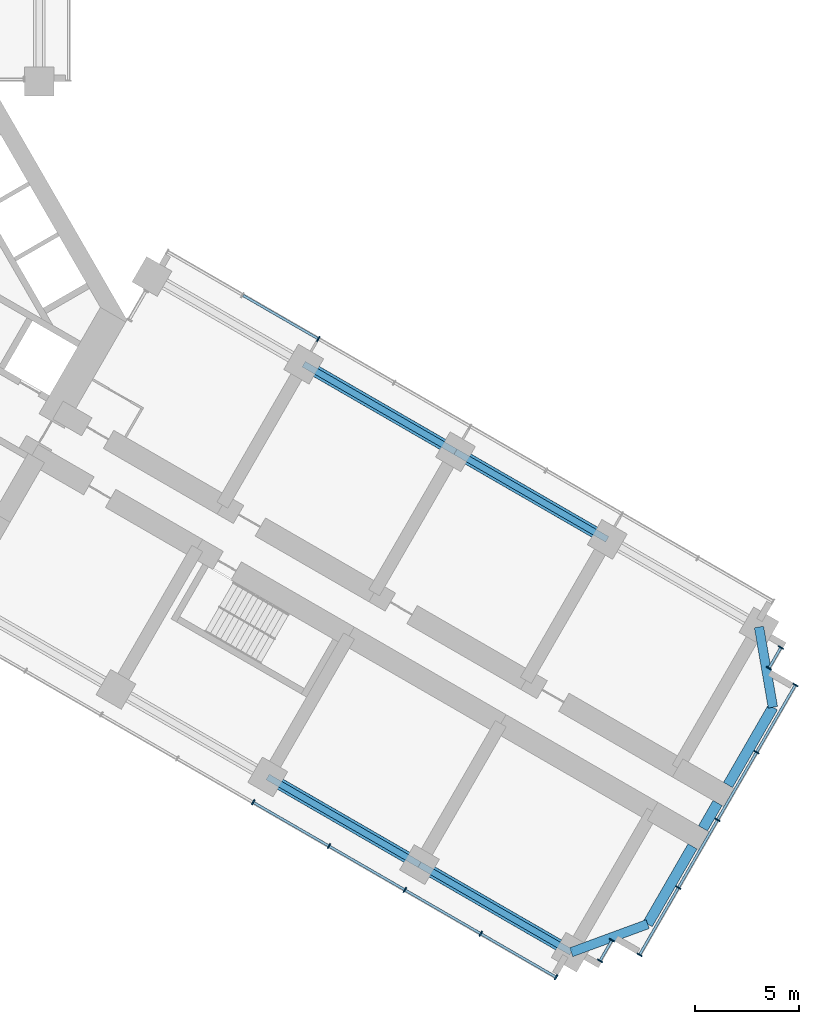
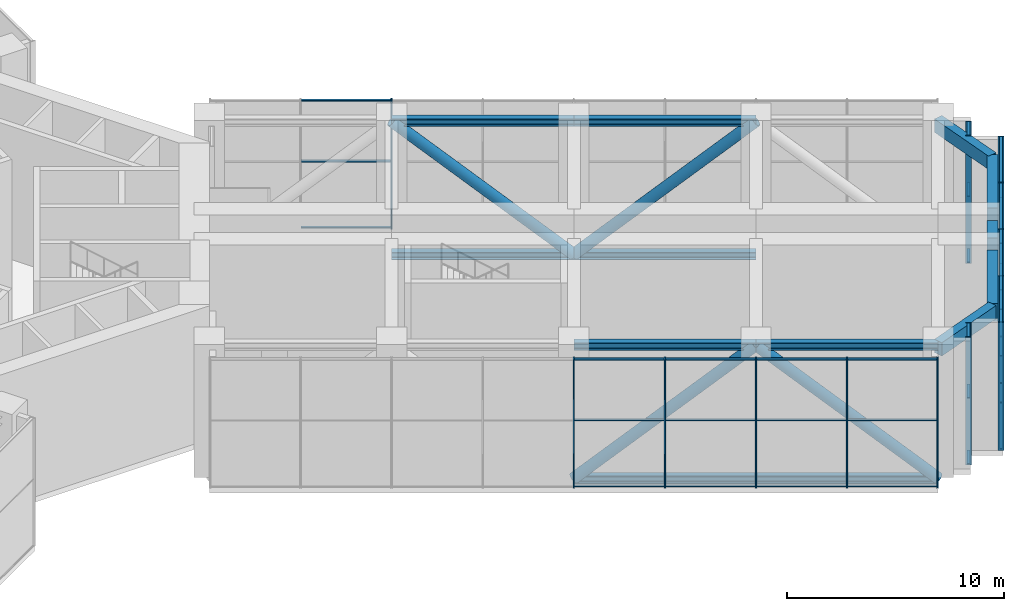
# One storey, part 7 of 19: 60 members, 5 beams, 5 elements without a shape of their own.
"""IFC4 building model written with IfcOpenShell, lengths in metres."""

import ifcopenshell
import ifcopenshell.guid

model = None  # the IFC model being written
_history = None  # IfcOwnerHistory: only IFC2X3 demands one
_inside = {}  # id of a spatial element -> (the spatial element, [elements in it])
_under = {}  # id of a project, library or spatial element -> (it, [spatial elements below it])
_declared = {}  # id of a project -> (the project, [libraries it declares])
_typed = {}  # id of a type object -> (the type object, [elements of that type])
_made_of = {}  # id of a material, layer set ... -> (it, [elements and type objects made of it])


def new_model(schema):
    """Start an empty IFC model of exactly this schema.

    Asked for "IFC4X3", IfcOpenShell would pick the latest addendum, in which some entities
    have other attributes; the version numbers below select the first issue.
    IFC2X3 requires an IfcOwnerHistory on every rooted entity: one is made here for all.
    """
    global model, _history
    if schema == "IFC4X3":
        model = ifcopenshell.file(schema_version=(4, 3, 0, 0))
    else:
        model = ifcopenshell.file(schema=schema)
    _inside.clear()
    _under.clear()
    _declared.clear()
    _typed.clear()
    _made_of.clear()
    _history = None
    if model.schema == "IFC2X3":
        org = make("IfcOrganization", Name="unknown")
        user = make(
            "IfcPersonAndOrganization",
            ThePerson=make("IfcPerson", FamilyName="unknown"),
            TheOrganization=org,
        )
        app = make(
            "IfcApplication",
            ApplicationDeveloper=org,
            Version="unknown",
            ApplicationFullName="unknown",
            ApplicationIdentifier="unknown",
        )
        _history = make(
            "IfcOwnerHistory",
            OwningUser=user,
            OwningApplication=app,
            ChangeAction="ADDED",
            CreationDate=0,
        )
    return model


def make(cls, **values):
    """One entity of the class cls with the attributes given. An attribute that is None is left unset."""
    return model.create_entity(
        cls, **{name: value for name, value in values.items() if value is not None}
    )


def rooted(cls, **values):
    """An entity with a GlobalId (a new one), such as an element, a storey or a relation."""
    return make(cls, GlobalId=ifcopenshell.guid.new(), OwnerHistory=_history, **values)


def si_unit(unit_type, name, prefix=None):
    """IfcSIUnit, for example si_unit("LENGTHUNIT", "METRE", prefix="MILLI")."""
    return make("IfcSIUnit", UnitType=unit_type, Prefix=prefix, Name=name)


def assignment(units):
    """IfcUnitAssignment: the units of a project."""
    return None if units is None else make("IfcUnitAssignment", Units=units)


def point(xyz):
    """IfcCartesianPoint."""
    return None if xyz is None else make("IfcCartesianPoint", Coordinates=xyz)


def direction(xyz):
    """IfcDirection."""
    return None if xyz is None else make("IfcDirection", DirectionRatios=xyz)


def frame(location, z_axis=None, x_axis=None):
    """IfcAxis2Placement3D, a coordinate frame: its origin and axes. An axis left out is left unset."""
    return make(
        "IfcAxis2Placement3D",
        Location=point(location),
        Axis=direction(z_axis),
        RefDirection=direction(x_axis),
    )


def frame_2d(location, x_axis=None):
    """IfcAxis2Placement2D, a coordinate frame in the plane: its origin and x axis."""
    return make(
        "IfcAxis2Placement2D", Location=point(location), RefDirection=direction(x_axis)
    )


def origin():
    """The frame at (0, 0, 0) with its axes left unset."""
    return frame((0.0, 0.0, 0.0))


def origin_2d():
    """The frame at (0, 0) in the plane with its x axis left unset."""
    return frame_2d((0.0, 0.0))


def place(relative_to, where):
    """IfcLocalPlacement: puts the frame where relative to a parent placement (None: the world)."""
    return make(
        "IfcLocalPlacement", PlacementRelTo=relative_to, RelativePlacement=where
    )


def context(
    kind, dimensions, precision=None, world=None, true_north=None, identifier=None
):
    """IfcGeometricRepresentationContext, for example the 3D "Model" context."""
    return make(
        "IfcGeometricRepresentationContext",
        ContextIdentifier=identifier,
        ContextType=kind,
        CoordinateSpaceDimension=dimensions,
        Precision=precision,
        WorldCoordinateSystem=world,
        TrueNorth=true_north,
    )


def subcontext(parent, identifier, kind, view, scale=None):
    """IfcGeometricRepresentationSubContext, for example "Body" below "Model"."""
    return make(
        "IfcGeometricRepresentationSubContext",
        ContextIdentifier=identifier,
        ContextType=kind,
        ParentContext=parent,
        TargetScale=scale,
        TargetView=view,
    )


def project(units=None, contexts=None):
    """IfcProject with its units and contexts."""
    return rooted(
        "IfcProject",
        Name="project",
        RepresentationContexts=contexts,
        UnitsInContext=assignment(units),
    )


def spatial(cls, under=None, at=None, **own):
    """A site, building, storey or space (cls), placed at a placement, below another one or the project."""
    s = rooted(cls, ObjectPlacement=at, **own)
    if under is not None:
        _under.setdefault(under.id(), (under, []))[1].append(s)
    return s


def profile(cls, at=None, kind="AREA", **sizes):
    """A parametric profile (cls). Its sizes go by their IFC names, for example OverallWidth=200.0."""
    return make(cls, ProfileType=kind, Position=at, **sizes)


def rectangle(**sizes):
    """IfcRectangleProfileDef."""
    return profile("IfcRectangleProfileDef", **sizes)


def hollow_circle(**sizes):
    """IfcCircleHollowProfileDef."""
    return profile("IfcCircleHollowProfileDef", **sizes)


def i_section(**sizes):
    """IfcIShapeProfileDef."""
    return profile("IfcIShapeProfileDef", **sizes)


def extrude(swept, where, along, depth):
    """IfcExtrudedAreaSolid: the profile swept, set in the frame where, extruded along a direction by depth."""
    return make(
        "IfcExtrudedAreaSolid",
        SweptArea=swept,
        Position=where,
        ExtrudedDirection=direction(along),
        Depth=depth,
    )


def shape(context_of_items, identifier, shape_type, items):
    """IfcShapeRepresentation: the items that make up one representation, for example the "Body"."""
    return make(
        "IfcShapeRepresentation",
        ContextOfItems=context_of_items,
        RepresentationIdentifier=identifier,
        RepresentationType=shape_type,
        Items=items,
    )


def material(Name=None, Category=None):
    """IfcMaterial."""
    return make("IfcMaterial", Name=Name, Category=Category)


def material_profile(
    of_material, cross_section, Name=None, Category=None, Priority=None
):
    """IfcMaterialProfile: a cross section and its material."""
    return make(
        "IfcMaterialProfile",
        Name=Name,
        Material=of_material,
        Profile=cross_section,
        Priority=Priority,
        Category=Category,
    )


def profile_set(profiles, Name=None, composite=None):
    """IfcMaterialProfileSet."""
    return make(
        "IfcMaterialProfileSet",
        Name=Name,
        MaterialProfiles=profiles,
        CompositeProfile=composite,
    )


def made_of(thing, what):
    """Note that an element or type object is made of a material, layer set ...; save() writes the relation."""
    if what is not None:
        _made_of.setdefault(what.id(), (what, []))[1].append(thing)
    return thing


def type_object(cls, material=None, **own):
    """A type object (cls), such as IfcWallType, which elements share."""
    return made_of(rooted(cls, **own), material)


def element(
    cls,
    number,
    at=None,
    inside=None,
    cuts=None,
    type_object=None,
    material=None,
    context=None,
    identifier="Body",
    shape_type=None,
    held_by="IfcProductDefinitionShape",
    body=None,
    shapes=None,
    **own,
):
    """One element of the class cls, such as IfcWall. Its Tag is "e" and its number.

    at: its placement. inside: the storey or other place that contains it. cuts: it is an
    opening in that element (IfcRelVoidsElement). A single representation is given by context,
    identifier, shape_type and body (its items); several are given by shapes. held_by: the class
    of the entity that holds the representations. save() writes the other relations.
    """
    e = rooted(cls, Tag="e%d" % number, ObjectPlacement=at, **own)
    if body is not None:
        shapes = [shape(context, identifier, shape_type, body)]
    if shapes is not None:
        e.Representation = make(held_by, Representations=shapes)
    if inside is not None:
        _inside.setdefault(inside.id(), (inside, []))[1].append(e)
    if cuts is not None:
        rooted(
            "IfcRelVoidsElement", RelatingBuildingElement=cuts, RelatedOpeningElement=e
        )
    if type_object is not None:
        _typed.setdefault(type_object.id(), (type_object, []))[1].append(e)
    return made_of(e, material)


def aggregate(whole, parts):
    """IfcRelAggregates: a whole, such as a stair, and the parts it consists of."""
    return rooted("IfcRelAggregates", RelatingObject=whole, RelatedObjects=parts)


def save(model, path):
    """Write the relations noted so far, then the file.

    IfcRelAggregates (storeys below a building ...), IfcRelContainedInSpatialStructure (elements
    in a storey), IfcRelDefinesByType, IfcRelAssociatesMaterial and IfcRelDeclares: one each for
    every whole, place, type object, material and project.
    """
    for whole, parts in _under.values():
        aggregate(whole, parts)
    for where, things in _inside.values():
        rooted(
            "IfcRelContainedInSpatialStructure",
            RelatedElements=things,
            RelatingStructure=where,
        )
    for kind, things in _typed.values():
        rooted("IfcRelDefinesByType", RelatedObjects=things, RelatingType=kind)
    for what, things in _made_of.values():
        rooted("IfcRelAssociatesMaterial", RelatedObjects=things, RelatingMaterial=what)
    for by, libraries in _declared.values():
        rooted("IfcRelDeclares", RelatingContext=by, RelatedDefinitions=libraries)
    model.write(path)


model = new_model("IFC4")

# Units and contexts
model_context = context("Model", 3, precision=1e-05, world=origin(), true_north=direction((0.0, 1.0)))
body_context = subcontext(model_context, "Body", "Model", "MODEL_VIEW")
ifc_project = project(units=[si_unit("LENGTHUNIT", "METRE"), si_unit("AREAUNIT", "SQUARE_METRE"), si_unit("VOLUMEUNIT", "CUBIC_METRE"), si_unit("PLANEANGLEUNIT", "RADIAN"), si_unit("MASSUNIT", "GRAM", prefix="KILO")], contexts=[model_context])

# Site, building, storey
site_placement = place(None, origin())
site = spatial("IfcSite", under=ifc_project, at=site_placement, CompositionType="ELEMENT")
building_placement = place(site_placement, origin())
building = spatial("IfcBuilding", under=site, at=building_placement, Name="Impinga Residences", CompositionType="ELEMENT")
storey_placement = place(building_placement, frame((0.0, 0.0, 93.5)))
storey = spatial("IfcBuildingStorey", under=building, at=storey_placement, Name="L23", CompositionType="ELEMENT", Elevation=93.5)

# Members
ifc_material_1 = material(Name="Steel S355", Category="steel")
ifc_material_profile_1 = material_profile(ifc_material_1, i_section(OverallWidth=0.306884765625, OverallDepth=0.431884765625, WebThickness=0.02099609375, FlangeThickness=0.0400390625, FilletRadius=0.027099609375, at=origin_2d()), Name="HE 400 M")
ifc_profile_set_1 = profile_set([ifc_material_profile_1], Name="Steel S355")
member_type_1 = type_object("IfcMemberType", Name="BT1 HE 400 M belt truss chord", PredefinedType="CHORD", material=ifc_profile_set_1)
for number, where, z_axis, x_axis, name in (
    (1, (21.674560546875, -2.12158203125, -0.51611328125), (0.86602925447, -0.499993330357, 0.0), (0.499993330357, 0.86602925447, 0.0), "Belt truss chord BT1 EA E2-E3 L23"),
    (2, (21.674560546875, -2.12158203125, 6.98388671875), (0.86602925447, -0.499993330357, 0.0), (0.499993330357, 0.86602925447, 0.0), "Belt truss chord BT1 EA E2-E3 L23"),
    (3, (28.94921875, -6.321533203125, -0.51611328125), (0.86602925447, -0.499993330357, 0.0), (0.499993330357, 0.86602925447, 0.0), "Belt truss chord BT1 EA E3-E4 L23"),
    (4, (28.94921875, -6.321533203125, 6.98388671875), (0.86602925447, -0.499993330357, 0.0), (0.499993330357, 0.86602925447, 0.0), "Belt truss chord BT1 EA E3-E4 L23"),
):
    element("IfcMember", number, at=place(storey_placement, frame(where, z_axis=z_axis, x_axis=x_axis)), inside=storey, type_object=member_type_1, Name=name, PredefinedType="CHORD", context=body_context, shape_type="SweptSolid", body=[
        extrude(i_section(OverallWidth=0.306884765625, OverallDepth=0.431884765625, WebThickness=0.02099609375, FlangeThickness=0.0400390625, FilletRadius=0.027099609375, at=origin_2d()), origin(), (0.0, 0.0, 1.0), 8.39990234375),
    ])
for number, where, z_axis, x_axis, name in (
    (5, (19.94921875, -21.909912109375, -0.51611328125), (0.866016669275, -0.500015128309, 0.0), (0.500015128309, 0.866016669275, 0.0), "Belt truss chord BT1 EF E3-E4 L23"),
    (6, (19.94921875, -21.909912109375, 6.98388671875), (0.866016669275, -0.500015128309, 0.0), (0.500015128309, 0.866016669275, 0.0), "Belt truss chord BT1 EF E3-E4 L23"),
):
    element("IfcMember", number, at=place(storey_placement, frame(where, z_axis=z_axis, x_axis=x_axis)), inside=storey, type_object=member_type_1, Name=name, PredefinedType="CHORD", context=body_context, shape_type="SweptSolid", body=[
        extrude(i_section(OverallWidth=0.306884765625, OverallDepth=0.431884765625, WebThickness=0.02099609375, FlangeThickness=0.0400390625, FilletRadius=0.027099609375, at=origin_2d()), origin(), (0.0, 0.0, 1.0), 8.400146484375),
    ])
for number, where, z_axis, x_axis, name in (
    (7, (27.223876953125, -26.110107421875, -0.51611328125), (0.86602925447, -0.499993330357, 0.0), (0.499993330357, 0.86602925447, 0.0), "Belt truss chord BT1 EF E4-E5 L23"),
    (8, (27.223876953125, -26.110107421875, 6.98388671875), (0.86602925447, -0.499993330357, 0.0), (0.499993330357, 0.86602925447, 0.0), "Belt truss chord BT1 EF E4-E5 L23"),
):
    element("IfcMember", number, at=place(storey_placement, frame(where, z_axis=z_axis, x_axis=x_axis)), inside=storey, type_object=member_type_1, Name=name, PredefinedType="CHORD", context=body_context, shape_type="SweptSolid", body=[
        extrude(i_section(OverallWidth=0.306884765625, OverallDepth=0.431884765625, WebThickness=0.02099609375, FlangeThickness=0.0400390625, FilletRadius=0.027099609375, at=origin_2d()), origin(), (0.0, 0.0, 1.0), 8.39990234375),
    ])
ifc_material_2 = material(Name="Steel S355J2H", Category="steel")
ifc_material_profile_2 = material_profile(ifc_material_2, hollow_circle(Radius=0.279541015625, WallThickness=0.02001953125, at=origin_2d()), Name="CHS 559x20")
ifc_profile_set_2 = profile_set([ifc_material_profile_2], Name="Steel S355J2H")
member_type_2 = type_object("IfcMemberType", Name="BT2 CHS 559x20 belt truss diagonal at L23", PredefinedType="BRACE", material=ifc_profile_set_2)
for number, where, z_axis, x_axis, name in (
    (9, (21.674560546875, -2.12158203125, 6.98388671875), (0.646004328005, -0.372964139164, -0.666015134285), (0.499993330357, 0.86602925447, 0.0), "Belt truss diagonal BT2 EA E2-E3 L23"),
    (10, (28.94921875, -6.321533203125, -0.51611328125), (0.646004328005, -0.372964139164, 0.666015134285), (0.499993330357, 0.86602925447, 0.0), "Belt truss diagonal BT2 EA E3-E4 L23"),
    (11, (19.94921875, -21.909912109375, -0.51611328125), (0.645999104371, -0.372982803356, 0.666009748843), (0.500015128309, 0.866016669275, 0.0), "Belt truss diagonal BT2 EF E3-E4 L23"),
    (12, (27.223876953125, -26.110107421875, 6.98388671875), (0.646004328005, -0.372964139164, -0.666015134285), (0.499993330357, 0.86602925447, 0.0), "Belt truss diagonal BT2 EF E4-E5 L23"),
):
    element("IfcMember", number, at=place(storey_placement, frame(where, z_axis=z_axis, x_axis=x_axis)), inside=storey, type_object=member_type_2, Name=name, PredefinedType="BRACE", context=body_context, shape_type="SweptSolid", body=[
        extrude(hollow_circle(Radius=0.279541015625, WallThickness=0.02001953125, at=origin_2d()), origin(), (0.0, 0.0, 1.0), 11.260986328125),
    ])

# Beams
ifc_material_3 = material(Name="Concrete C60/75", Category="concrete")
ifc_material_profile_3 = material_profile(ifc_material_3, rectangle(XDim=0.449951171875, YDim=0.75, at=origin_2d()), Name="RC 450x750")
ifc_profile_set_3 = profile_set([ifc_material_profile_3], Name="Concrete C60/75")
beam_type_1 = type_object("IfcBeamType", Name="CB1 450x750 wing end cantilever beam", PredefinedType="BEAM", material=ifc_profile_set_3)
beam_1_placement = place(storey_placement, frame((43.49853515625, -14.721435546875, 6.824951171875), z_axis=(0.170296298948, -0.985392901621, 0.0), x_axis=(0.985392901621, 0.170296298948, 0.0)))
element("IfcBeam", 13, at=beam_1_placement, inside=storey, type_object=beam_type_1, Name="Beam CB1 EB E5-EX level L24", PredefinedType="BEAM", context=body_context, shape_type="SweptSolid", body=[
    extrude(rectangle(XDim=0.449951171875, YDim=0.75, at=origin_2d()), origin(), (0.0, 0.0, 1.0), 3.9052734375),
])
beam_2_placement = place(storey_placement, frame((34.49853515625, -30.31005859375, 6.824951171875), z_axis=(0.938520178725, 0.345224382289, 0.0), x_axis=(-0.345224382289, 0.938520178725, 0.0)))
element("IfcBeam", 14, at=beam_2_placement, inside=storey, type_object=beam_type_1, Name="Beam CB1 EE E5-EX level L24", PredefinedType="BEAM", context=body_context, shape_type="SweptSolid", body=[
    extrude(rectangle(XDim=0.449951171875, YDim=0.75, at=origin_2d()), origin(), (0.0, 0.0, 1.0), 3.905029296875),
])

# Curtain wall, member
ifc_material_4 = material(Name="Aluminium stick curtain wall", Category="aluminium")
curtain_wall_type = type_object("IfcCurtainWallType", Name="CW4 plant floor louvred curtain wall", PredefinedType="USERDEFINED", material=ifc_material_4)
curtain_wall_1_placement = place(storey_placement, origin())
curtain_wall_1 = element("IfcCurtainWall", 15, at=curtain_wall_1_placement, inside=storey, type_object=curtain_wall_type, Name="Curtain wall CW4 L23", ObjectType="STICK CURTAIN WALL", PredefinedType="USERDEFINED")
ifc_material_5 = material(Name="Aluminium mullion", Category="aluminium")
ifc_material_profile_4 = material_profile(ifc_material_5, rectangle(XDim=0.06005859375, YDim=0.27490234375, at=origin_2d()), Name="60x275 mullion")
ifc_profile_set_4 = profile_set([ifc_material_profile_4], Name="Aluminium mullion")
member_type_3 = type_object("IfcMemberType", Name="CW4-M mullion 60x275", PredefinedType="MULLION", material=ifc_profile_set_4)
member_1_placement = place(storey_placement, frame((22.37451171875, -0.9091796875, 0.0), z_axis=(0.0, 0.0, 1.0), x_axis=(0.866025407005, -0.499999994423, 0.0)))
member_1 = element("IfcMember", 16, at=member_1_placement, type_object=member_type_3, Name="CW4 mullion 3", PredefinedType="MULLION", context=body_context, shape_type="SweptSolid", body=[
    extrude(rectangle(XDim=0.06005859375, YDim=0.27490234375, at=origin_2d()), origin(), (0.0, 0.0, 1.0), 7.199951171875),
])

# Curtain wall, members
curtain_wall_2_placement = place(storey_placement, origin())
curtain_wall_2 = element("IfcCurtainWall", 17, at=curtain_wall_2_placement, inside=storey, type_object=curtain_wall_type, Name="Curtain wall CW4 L23", ObjectType="STICK CURTAIN WALL", PredefinedType="USERDEFINED")
member_2_placement = place(storey_placement, frame((44.5458984375, -15.707275390625, 0.0), z_axis=(0.0, 0.0, 1.0), x_axis=(-0.50000017485, -0.866025302835, 0.0)))
member_2 = element("IfcMember", 18, at=member_2_placement, type_object=member_type_3, Name="CW4 mullion 1", PredefinedType="MULLION", context=body_context, shape_type="SweptSolid", body=[
    extrude(rectangle(XDim=0.06005859375, YDim=0.27490234375, at=origin_2d()), origin(), (0.0, 0.0, 1.0), 7.199951171875),
])
member_3_placement = place(storey_placement, frame((43.975830078125, -16.694580078125, 0.0), z_axis=(0.0, 0.0, 1.0), x_axis=(-0.50000017485, -0.866025302835, 0.0)))
member_3 = element("IfcMember", 19, at=member_3_placement, type_object=member_type_3, Name="CW4 mullion 2", PredefinedType="MULLION", context=body_context, shape_type="SweptSolid", body=[
    extrude(rectangle(XDim=0.06005859375, YDim=0.27490234375, at=origin_2d()), origin(), (0.0, 0.0, 1.0), 7.199951171875),
])

curtain_wall_3_placement = place(storey_placement, origin())
curtain_wall_3 = element("IfcCurtainWall", 20, at=curtain_wall_3_placement, inside=storey, type_object=curtain_wall_type, Name="Curtain wall CW4 L23", ObjectType="STICK CURTAIN WALL", PredefinedType="USERDEFINED")
member_4_placement = place(storey_placement, frame((45.244873046875, -17.49658203125, 0.0), z_axis=(0.0, 0.0, 1.0), x_axis=(-0.500000001632, -0.866025402842, 0.0)))
member_4 = element("IfcMember", 21, at=member_4_placement, type_object=member_type_3, Name="CW4 mullion 1", PredefinedType="MULLION", context=body_context, shape_type="SweptSolid", body=[
    extrude(rectangle(XDim=0.06005859375, YDim=0.27490234375, at=origin_2d()), origin(), (0.0, 0.0, 1.0), 7.199951171875),
])
member_5_placement = place(storey_placement, frame((43.385009765625, -20.71826171875, 0.0), z_axis=(0.0, 0.0, 1.0), x_axis=(-0.500000001632, -0.866025402842, 0.0)))
member_5 = element("IfcMember", 22, at=member_5_placement, type_object=member_type_3, Name="CW4 mullion 2", PredefinedType="MULLION", context=body_context, shape_type="SweptSolid", body=[
    extrude(rectangle(XDim=0.06005859375, YDim=0.27490234375, at=origin_2d()), origin(), (0.0, 0.0, 1.0), 7.199951171875),
])
member_6_placement = place(storey_placement, frame((41.510009765625, -23.9658203125, 0.0), z_axis=(0.0, 0.0, 1.0), x_axis=(-0.500000001632, -0.866025402842, 0.0)))
member_6 = element("IfcMember", 23, at=member_6_placement, type_object=member_type_3, Name="CW4 mullion 3", PredefinedType="MULLION", context=body_context, shape_type="SweptSolid", body=[
    extrude(rectangle(XDim=0.06005859375, YDim=0.27490234375, at=origin_2d()), origin(), (0.0, 0.0, 1.0), 7.199951171875),
])
member_7_placement = place(storey_placement, frame((39.635009765625, -27.21337890625, 0.0), z_axis=(0.0, 0.0, 1.0), x_axis=(-0.500000001632, -0.866025402842, 0.0)))
member_7 = element("IfcMember", 24, at=member_7_placement, type_object=member_type_3, Name="CW4 mullion 4", PredefinedType="MULLION", context=body_context, shape_type="SweptSolid", body=[
    extrude(rectangle(XDim=0.06005859375, YDim=0.27490234375, at=origin_2d()), origin(), (0.0, 0.0, 1.0), 7.199951171875),
])
member_8_placement = place(storey_placement, frame((37.77490234375, -30.43505859375, 0.0), z_axis=(0.0, 0.0, 1.0), x_axis=(-0.500000001632, -0.866025402842, 0.0)))
member_8 = element("IfcMember", 25, at=member_8_placement, type_object=member_type_3, Name="CW4 mullion 5", PredefinedType="MULLION", context=body_context, shape_type="SweptSolid", body=[
    extrude(rectangle(XDim=0.06005859375, YDim=0.27490234375, at=origin_2d()), origin(), (0.0, 0.0, 1.0), 7.199951171875),
])

curtain_wall_4_placement = place(storey_placement, origin())
curtain_wall_4 = element("IfcCurtainWall", 26, at=curtain_wall_4_placement, inside=storey, type_object=curtain_wall_type, Name="Curtain wall CW4 L23", ObjectType="STICK CURTAIN WALL", PredefinedType="USERDEFINED")
member_9_placement = place(storey_placement, frame((36.44580078125, -29.737060546875, 0.0), z_axis=(0.0, 0.0, 1.0), x_axis=(-0.499999813995, -0.866025511175, 0.0)))
member_9 = element("IfcMember", 27, at=member_9_placement, type_object=member_type_3, Name="CW4 mullion 1", PredefinedType="MULLION", context=body_context, shape_type="SweptSolid", body=[
    extrude(rectangle(XDim=0.06005859375, YDim=0.27490234375, at=origin_2d()), origin(), (0.0, 0.0, 1.0), 7.199951171875),
])
member_10_placement = place(storey_placement, frame((35.8759765625, -30.72412109375, 0.0), z_axis=(0.0, 0.0, 1.0), x_axis=(-0.499999813995, -0.866025511175, 0.0)))
member_10 = element("IfcMember", 28, at=member_10_placement, type_object=member_type_3, Name="CW4 mullion 2", PredefinedType="MULLION", context=body_context, shape_type="SweptSolid", body=[
    extrude(rectangle(XDim=0.06005859375, YDim=0.27490234375, at=origin_2d()), origin(), (0.0, 0.0, 1.0), 7.199951171875),
])

curtain_wall_5_placement = place(storey_placement, origin())
curtain_wall_5 = element("IfcCurtainWall", 29, at=curtain_wall_5_placement, inside=storey, type_object=curtain_wall_type, Name="Curtain wall CW4 L23", ObjectType="STICK CURTAIN WALL", PredefinedType="USERDEFINED")
member_11_placement = place(storey_placement, frame((33.7724609375, -31.50732421875, 0.0), z_axis=(0.0, 0.0, 1.0), x_axis=(-0.866025407005, 0.499999994423, 0.0)))
member_11 = element("IfcMember", 30, at=member_11_placement, type_object=member_type_3, Name="CW4 mullion 1", PredefinedType="MULLION", context=body_context, shape_type="SweptSolid", body=[
    extrude(rectangle(XDim=0.06005859375, YDim=0.27490234375, at=origin_2d()), origin(), (0.0, 0.0, 1.0), 7.199951171875),
])
member_12_placement = place(storey_placement, frame((30.1611328125, -29.42236328125, 0.0), z_axis=(0.0, 0.0, 1.0), x_axis=(-0.866025407005, 0.499999994423, 0.0)))
member_12 = element("IfcMember", 31, at=member_12_placement, type_object=member_type_3, Name="CW4 mullion 2", PredefinedType="MULLION", context=body_context, shape_type="SweptSolid", body=[
    extrude(rectangle(XDim=0.06005859375, YDim=0.27490234375, at=origin_2d()), origin(), (0.0, 0.0, 1.0), 7.199951171875),
])
member_13_placement = place(storey_placement, frame((26.52392578125, -27.322509765625, 0.0), z_axis=(0.0, 0.0, 1.0), x_axis=(-0.866025407005, 0.499999994423, 0.0)))
member_13 = element("IfcMember", 32, at=member_13_placement, type_object=member_type_3, Name="CW4 mullion 3", PredefinedType="MULLION", context=body_context, shape_type="SweptSolid", body=[
    extrude(rectangle(XDim=0.06005859375, YDim=0.27490234375, at=origin_2d()), origin(), (0.0, 0.0, 1.0), 7.199951171875),
])
member_14_placement = place(storey_placement, frame((22.886474609375, -25.222412109375, 0.0), z_axis=(0.0, 0.0, 1.0), x_axis=(-0.866025407005, 0.499999994423, 0.0)))
member_14 = element("IfcMember", 33, at=member_14_placement, type_object=member_type_3, Name="CW4 mullion 4", PredefinedType="MULLION", context=body_context, shape_type="SweptSolid", body=[
    extrude(rectangle(XDim=0.06005859375, YDim=0.27490234375, at=origin_2d()), origin(), (0.0, 0.0, 1.0), 7.199951171875),
])
member_15_placement = place(storey_placement, frame((19.249267578125, -23.122314453125, 0.0), z_axis=(0.0, 0.0, 1.0), x_axis=(-0.866025407005, 0.499999994423, 0.0)))
member_15 = element("IfcMember", 34, at=member_15_placement, type_object=member_type_3, Name="CW4 mullion 5", PredefinedType="MULLION", context=body_context, shape_type="SweptSolid", body=[
    extrude(rectangle(XDim=0.06005859375, YDim=0.27490234375, at=origin_2d()), origin(), (0.0, 0.0, 1.0), 7.199951171875),
])

# Member
ifc_material_6 = material(Name="Aluminium transom", Category="aluminium")
ifc_material_profile_5 = material_profile(ifc_material_6, rectangle(XDim=0.06005859375, YDim=0.1201171875, at=origin_2d()), Name="60x120 transom")
ifc_profile_set_5 = profile_set([ifc_material_profile_5], Name="Aluminium transom")
member_type_4 = type_object("IfcMemberType", Name="CW4-T transom 60x120", PredefinedType="USERDEFINED", material=ifc_profile_set_5)
member_16_placement = place(storey_placement, frame((18.76318359375, 1.17578125, 0.030029296875), z_axis=(0.866050071143, -0.499957272447, 0.0), x_axis=(0.0, 0.0, 1.0)))
member_16 = element("IfcMember", 35, at=member_16_placement, type_object=member_type_4, Name="CW4 transom 2.1", ObjectType="TRANSOM", PredefinedType="USERDEFINED", context=body_context, shape_type="SweptSolid", body=[
    extrude(rectangle(XDim=0.06005859375, YDim=0.1201171875, at=origin_2d()), origin(), (0.0, 0.0, 1.0), 4.139892578125),
])

member_17_placement = place(storey_placement, frame((18.76318359375, 1.17578125, 3.75), z_axis=(0.866050071143, -0.499957272447, 0.0), x_axis=(0.0, 0.0, 1.0)))
member_17 = element("IfcMember", 36, at=member_17_placement, type_object=member_type_4, Name="CW4 transom 2.2", ObjectType="TRANSOM", PredefinedType="USERDEFINED", context=body_context, shape_type="SweptSolid", body=[
    extrude(rectangle(XDim=0.06005859375, YDim=0.1201171875, at=origin_2d()), origin(), (0.0, 0.0, 1.0), 4.139892578125),
])

member_18_placement = place(storey_placement, frame((18.76318359375, 1.17578125, 7.169921875), z_axis=(0.866050071143, -0.499957272447, 0.0), x_axis=(0.0, 0.0, 1.0)))
member_18 = element("IfcMember", 37, at=member_18_placement, type_object=member_type_4, Name="CW4 transom 2.3", ObjectType="TRANSOM", PredefinedType="USERDEFINED", context=body_context, shape_type="SweptSolid", body=[
    extrude(rectangle(XDim=0.06005859375, YDim=0.1201171875, at=origin_2d()), origin(), (0.0, 0.0, 1.0), 4.139892578125),
])

aggregate(curtain_wall_1, [member_1, member_16, member_17, member_18])

member_19_placement = place(storey_placement, frame((44.531005859375, -15.7333984375, 0.030029296875), z_axis=(-0.500029011134, -0.866008653551, 0.0), x_axis=(0.0, 0.0, 1.0)))
member_19 = element("IfcMember", 38, at=member_19_placement, type_object=member_type_4, Name="CW4 transom 1.1", ObjectType="TRANSOM", PredefinedType="USERDEFINED", context=body_context, shape_type="SweptSolid", body=[
    extrude(rectangle(XDim=0.06005859375, YDim=0.1201171875, at=origin_2d()), origin(), (0.0, 0.0, 1.0), 1.080078125),
])

member_20_placement = place(storey_placement, frame((44.531005859375, -15.7333984375, 3.75), z_axis=(-0.500029011134, -0.866008653551, 0.0), x_axis=(0.0, 0.0, 1.0)))
member_20 = element("IfcMember", 39, at=member_20_placement, type_object=member_type_4, Name="CW4 transom 1.2", ObjectType="TRANSOM", PredefinedType="USERDEFINED", context=body_context, shape_type="SweptSolid", body=[
    extrude(rectangle(XDim=0.06005859375, YDim=0.1201171875, at=origin_2d()), origin(), (0.0, 0.0, 1.0), 1.080078125),
])

member_21_placement = place(storey_placement, frame((44.531005859375, -15.7333984375, 7.169921875), z_axis=(-0.500029011134, -0.866008653551, 0.0), x_axis=(0.0, 0.0, 1.0)))
member_21 = element("IfcMember", 40, at=member_21_placement, type_object=member_type_4, Name="CW4 transom 1.3", ObjectType="TRANSOM", PredefinedType="USERDEFINED", context=body_context, shape_type="SweptSolid", body=[
    extrude(rectangle(XDim=0.06005859375, YDim=0.1201171875, at=origin_2d()), origin(), (0.0, 0.0, 1.0), 1.080078125),
])

aggregate(curtain_wall_2, [member_2, member_3, member_19, member_20, member_21])

member_22_placement = place(storey_placement, frame((45.22998046875, -17.5224609375, 0.030029296875), z_axis=(-0.500013080017, -0.866017851902, 0.0), x_axis=(0.0, 0.0, 1.0)))
member_22 = element("IfcMember", 41, at=member_22_placement, type_object=member_type_4, Name="CW4 transom 1.1", ObjectType="TRANSOM", PredefinedType="USERDEFINED", context=body_context, shape_type="SweptSolid", body=[
    extrude(rectangle(XDim=0.06005859375, YDim=0.1201171875, at=origin_2d()), origin(), (0.0, 0.0, 1.0), 3.66015625),
])

member_23_placement = place(storey_placement, frame((45.22998046875, -17.5224609375, 3.75), z_axis=(-0.500013080017, -0.866017851902, 0.0), x_axis=(0.0, 0.0, 1.0)))
member_23 = element("IfcMember", 42, at=member_23_placement, type_object=member_type_4, Name="CW4 transom 1.2", ObjectType="TRANSOM", PredefinedType="USERDEFINED", context=body_context, shape_type="SweptSolid", body=[
    extrude(rectangle(XDim=0.06005859375, YDim=0.1201171875, at=origin_2d()), origin(), (0.0, 0.0, 1.0), 3.66015625),
])

member_24_placement = place(storey_placement, frame((45.22998046875, -17.5224609375, 7.169921875), z_axis=(-0.500013080017, -0.866017851902, 0.0), x_axis=(0.0, 0.0, 1.0)))
member_24 = element("IfcMember", 43, at=member_24_placement, type_object=member_type_4, Name="CW4 transom 1.3", ObjectType="TRANSOM", PredefinedType="USERDEFINED", context=body_context, shape_type="SweptSolid", body=[
    extrude(rectangle(XDim=0.06005859375, YDim=0.1201171875, at=origin_2d()), origin(), (0.0, 0.0, 1.0), 3.66015625),
])

member_25_placement = place(storey_placement, frame((43.369873046875, -20.744140625, 0.030029296875), z_axis=(-0.500003092839, -0.866023618125, 0.0), x_axis=(0.0, 0.0, 1.0)))
member_25 = element("IfcMember", 44, at=member_25_placement, type_object=member_type_4, Name="CW4 transom 2.1", ObjectType="TRANSOM", PredefinedType="USERDEFINED", context=body_context, shape_type="SweptSolid", body=[
    extrude(rectangle(XDim=0.06005859375, YDim=0.1201171875, at=origin_2d()), origin(), (0.0, 0.0, 1.0), 3.68994140625),
])

member_26_placement = place(storey_placement, frame((43.369873046875, -20.744140625, 3.75), z_axis=(-0.500003092839, -0.866023618125, 0.0), x_axis=(0.0, 0.0, 1.0)))
member_26 = element("IfcMember", 45, at=member_26_placement, type_object=member_type_4, Name="CW4 transom 2.2", ObjectType="TRANSOM", PredefinedType="USERDEFINED", context=body_context, shape_type="SweptSolid", body=[
    extrude(rectangle(XDim=0.06005859375, YDim=0.1201171875, at=origin_2d()), origin(), (0.0, 0.0, 1.0), 3.68994140625),
])

member_27_placement = place(storey_placement, frame((43.369873046875, -20.744140625, 7.169921875), z_axis=(-0.500003092839, -0.866023618125, 0.0), x_axis=(0.0, 0.0, 1.0)))
member_27 = element("IfcMember", 46, at=member_27_placement, type_object=member_type_4, Name="CW4 transom 2.3", ObjectType="TRANSOM", PredefinedType="USERDEFINED", context=body_context, shape_type="SweptSolid", body=[
    extrude(rectangle(XDim=0.06005859375, YDim=0.1201171875, at=origin_2d()), origin(), (0.0, 0.0, 1.0), 3.68994140625),
])

member_28_placement = place(storey_placement, frame((41.494873046875, -23.99169921875, 0.030029296875), z_axis=(-0.499974444137, -0.866040157966, 0.0), x_axis=(0.0, 0.0, 1.0)))
member_28 = element("IfcMember", 47, at=member_28_placement, type_object=member_type_4, Name="CW4 transom 3.1", ObjectType="TRANSOM", PredefinedType="USERDEFINED", context=body_context, shape_type="SweptSolid", body=[
    extrude(rectangle(XDim=0.06005859375, YDim=0.1201171875, at=origin_2d()), origin(), (0.0, 0.0, 1.0), 3.690185546875),
])

member_29_placement = place(storey_placement, frame((41.494873046875, -23.99169921875, 3.75), z_axis=(-0.499974444137, -0.866040157966, 0.0), x_axis=(0.0, 0.0, 1.0)))
member_29 = element("IfcMember", 48, at=member_29_placement, type_object=member_type_4, Name="CW4 transom 3.2", ObjectType="TRANSOM", PredefinedType="USERDEFINED", context=body_context, shape_type="SweptSolid", body=[
    extrude(rectangle(XDim=0.06005859375, YDim=0.1201171875, at=origin_2d()), origin(), (0.0, 0.0, 1.0), 3.690185546875),
])

member_30_placement = place(storey_placement, frame((41.494873046875, -23.99169921875, 7.169921875), z_axis=(-0.499974444137, -0.866040157966, 0.0), x_axis=(0.0, 0.0, 1.0)))
member_30 = element("IfcMember", 49, at=member_30_placement, type_object=member_type_4, Name="CW4 transom 3.3", ObjectType="TRANSOM", PredefinedType="USERDEFINED", context=body_context, shape_type="SweptSolid", body=[
    extrude(rectangle(XDim=0.06005859375, YDim=0.1201171875, at=origin_2d()), origin(), (0.0, 0.0, 1.0), 3.690185546875),
])

member_31_placement = place(storey_placement, frame((39.619873046875, -27.2392578125, 0.030029296875), z_axis=(-0.499963050397, -0.866046735597, 0.0), x_axis=(0.0, 0.0, 1.0)))
member_31 = element("IfcMember", 50, at=member_31_placement, type_object=member_type_4, Name="CW4 transom 4.1", ObjectType="TRANSOM", PredefinedType="USERDEFINED", context=body_context, shape_type="SweptSolid", body=[
    extrude(rectangle(XDim=0.06005859375, YDim=0.1201171875, at=origin_2d()), origin(), (0.0, 0.0, 1.0), 3.659912109375),
])

member_32_placement = place(storey_placement, frame((39.619873046875, -27.2392578125, 3.75), z_axis=(-0.499963050397, -0.866046735597, 0.0), x_axis=(0.0, 0.0, 1.0)))
member_32 = element("IfcMember", 51, at=member_32_placement, type_object=member_type_4, Name="CW4 transom 4.2", ObjectType="TRANSOM", PredefinedType="USERDEFINED", context=body_context, shape_type="SweptSolid", body=[
    extrude(rectangle(XDim=0.06005859375, YDim=0.1201171875, at=origin_2d()), origin(), (0.0, 0.0, 1.0), 3.659912109375),
])

member_33_placement = place(storey_placement, frame((39.619873046875, -27.2392578125, 7.169921875), z_axis=(-0.499963050397, -0.866046735597, 0.0), x_axis=(0.0, 0.0, 1.0)))
member_33 = element("IfcMember", 52, at=member_33_placement, type_object=member_type_4, Name="CW4 transom 4.3", ObjectType="TRANSOM", PredefinedType="USERDEFINED", context=body_context, shape_type="SweptSolid", body=[
    extrude(rectangle(XDim=0.06005859375, YDim=0.1201171875, at=origin_2d()), origin(), (0.0, 0.0, 1.0), 3.659912109375),
])

aggregate(curtain_wall_3, [member_4, member_5, member_6, member_7, member_8, member_22, member_23, member_24, member_25, member_26, member_27, member_28, member_29, member_30, member_31, member_32, member_33])

member_34_placement = place(storey_placement, frame((36.430908203125, -29.762939453125, 0.030029296875), z_axis=(-0.500029011134, -0.866008653551, 0.0), x_axis=(0.0, 0.0, 1.0)))
member_34 = element("IfcMember", 53, at=member_34_placement, type_object=member_type_4, Name="CW4 transom 1.1", ObjectType="TRANSOM", PredefinedType="USERDEFINED", context=body_context, shape_type="SweptSolid", body=[
    extrude(rectangle(XDim=0.06005859375, YDim=0.1201171875, at=origin_2d()), origin(), (0.0, 0.0, 1.0), 1.080078125),
])

member_35_placement = place(storey_placement, frame((36.430908203125, -29.762939453125, 3.75), z_axis=(-0.500029011134, -0.866008653551, 0.0), x_axis=(0.0, 0.0, 1.0)))
member_35 = element("IfcMember", 54, at=member_35_placement, type_object=member_type_4, Name="CW4 transom 1.2", ObjectType="TRANSOM", PredefinedType="USERDEFINED", context=body_context, shape_type="SweptSolid", body=[
    extrude(rectangle(XDim=0.06005859375, YDim=0.1201171875, at=origin_2d()), origin(), (0.0, 0.0, 1.0), 1.080078125),
])

member_36_placement = place(storey_placement, frame((36.430908203125, -29.762939453125, 7.169921875), z_axis=(-0.500029011134, -0.866008653551, 0.0), x_axis=(0.0, 0.0, 1.0)))
member_36 = element("IfcMember", 55, at=member_36_placement, type_object=member_type_4, Name="CW4 transom 1.3", ObjectType="TRANSOM", PredefinedType="USERDEFINED", context=body_context, shape_type="SweptSolid", body=[
    extrude(rectangle(XDim=0.06005859375, YDim=0.1201171875, at=origin_2d()), origin(), (0.0, 0.0, 1.0), 1.080078125),
])

aggregate(curtain_wall_4, [member_9, member_10, member_34, member_35, member_36])

member_37_placement = place(storey_placement, frame((33.74658203125, -31.492431640625, 0.030029296875), z_axis=(-0.866045128991, 0.499965833383, 0.0), x_axis=(0.0, 0.0, 1.0)))
member_37 = element("IfcMember", 56, at=member_37_placement, type_object=member_type_4, Name="CW4 transom 1.1", ObjectType="TRANSOM", PredefinedType="USERDEFINED", context=body_context, shape_type="SweptSolid", body=[
    extrude(rectangle(XDim=0.06005859375, YDim=0.1201171875, at=origin_2d()), origin(), (0.0, 0.0, 1.0), 4.110107421875),
])

member_38_placement = place(storey_placement, frame((33.74658203125, -31.492431640625, 3.75), z_axis=(-0.866045128991, 0.499965833383, 0.0), x_axis=(0.0, 0.0, 1.0)))
member_38 = element("IfcMember", 57, at=member_38_placement, type_object=member_type_4, Name="CW4 transom 1.2", ObjectType="TRANSOM", PredefinedType="USERDEFINED", context=body_context, shape_type="SweptSolid", body=[
    extrude(rectangle(XDim=0.06005859375, YDim=0.1201171875, at=origin_2d()), origin(), (0.0, 0.0, 1.0), 4.110107421875),
])

member_39_placement = place(storey_placement, frame((33.74658203125, -31.492431640625, 7.169921875), z_axis=(-0.866045128991, 0.499965833383, 0.0), x_axis=(0.0, 0.0, 1.0)))
member_39 = element("IfcMember", 58, at=member_39_placement, type_object=member_type_4, Name="CW4 transom 1.3", ObjectType="TRANSOM", PredefinedType="USERDEFINED", context=body_context, shape_type="SweptSolid", body=[
    extrude(rectangle(XDim=0.06005859375, YDim=0.1201171875, at=origin_2d()), origin(), (0.0, 0.0, 1.0), 4.110107421875),
])

member_40_placement = place(storey_placement, frame((30.13525390625, -29.407470703125, 0.030029296875), z_axis=(-0.866024536972, 0.500001501361, 0.0), x_axis=(0.0, 0.0, 1.0)))
member_40 = element("IfcMember", 59, at=member_40_placement, type_object=member_type_4, Name="CW4 transom 2.1", ObjectType="TRANSOM", PredefinedType="USERDEFINED", context=body_context, shape_type="SweptSolid", body=[
    extrude(rectangle(XDim=0.06005859375, YDim=0.1201171875, at=origin_2d()), origin(), (0.0, 0.0, 1.0), 4.14013671875),
])

member_41_placement = place(storey_placement, frame((30.13525390625, -29.407470703125, 3.75), z_axis=(-0.866024536972, 0.500001501361, 0.0), x_axis=(0.0, 0.0, 1.0)))
member_41 = element("IfcMember", 60, at=member_41_placement, type_object=member_type_4, Name="CW4 transom 2.2", ObjectType="TRANSOM", PredefinedType="USERDEFINED", context=body_context, shape_type="SweptSolid", body=[
    extrude(rectangle(XDim=0.06005859375, YDim=0.1201171875, at=origin_2d()), origin(), (0.0, 0.0, 1.0), 4.14013671875),
])

member_42_placement = place(storey_placement, frame((30.13525390625, -29.407470703125, 7.169921875), z_axis=(-0.866024536972, 0.500001501361, 0.0), x_axis=(0.0, 0.0, 1.0)))
member_42 = element("IfcMember", 61, at=member_42_placement, type_object=member_type_4, Name="CW4 transom 2.3", ObjectType="TRANSOM", PredefinedType="USERDEFINED", context=body_context, shape_type="SweptSolid", body=[
    extrude(rectangle(XDim=0.06005859375, YDim=0.1201171875, at=origin_2d()), origin(), (0.0, 0.0, 1.0), 4.14013671875),
])

member_43_placement = place(storey_placement, frame((26.497802734375, -27.307373046875, 0.030029296875), z_axis=(-0.86603532975, 0.499982807329, 0.0), x_axis=(0.0, 0.0, 1.0)))
member_43 = element("IfcMember", 62, at=member_43_placement, type_object=member_type_4, Name="CW4 transom 3.1", ObjectType="TRANSOM", PredefinedType="USERDEFINED", context=body_context, shape_type="SweptSolid", body=[
    extrude(rectangle(XDim=0.06005859375, YDim=0.1201171875, at=origin_2d()), origin(), (0.0, 0.0, 1.0), 4.139892578125),
])

member_44_placement = place(storey_placement, frame((26.497802734375, -27.307373046875, 3.75), z_axis=(-0.86603532975, 0.499982807329, 0.0), x_axis=(0.0, 0.0, 1.0)))
member_44 = element("IfcMember", 63, at=member_44_placement, type_object=member_type_4, Name="CW4 transom 3.2", ObjectType="TRANSOM", PredefinedType="USERDEFINED", context=body_context, shape_type="SweptSolid", body=[
    extrude(rectangle(XDim=0.06005859375, YDim=0.1201171875, at=origin_2d()), origin(), (0.0, 0.0, 1.0), 4.139892578125),
])

member_45_placement = place(storey_placement, frame((26.497802734375, -27.307373046875, 7.169921875), z_axis=(-0.86603532975, 0.499982807329, 0.0), x_axis=(0.0, 0.0, 1.0)))
member_45 = element("IfcMember", 64, at=member_45_placement, type_object=member_type_4, Name="CW4 transom 3.3", ObjectType="TRANSOM", PredefinedType="USERDEFINED", context=body_context, shape_type="SweptSolid", body=[
    extrude(rectangle(XDim=0.06005859375, YDim=0.1201171875, at=origin_2d()), origin(), (0.0, 0.0, 1.0), 4.139892578125),
])

member_46_placement = place(storey_placement, frame((22.860595703125, -25.20751953125, 0.030029296875), z_axis=(-0.866024536972, 0.500001501361, 0.0), x_axis=(0.0, 0.0, 1.0)))
member_46 = element("IfcMember", 65, at=member_46_placement, type_object=member_type_4, Name="CW4 transom 4.1", ObjectType="TRANSOM", PredefinedType="USERDEFINED", context=body_context, shape_type="SweptSolid", body=[
    extrude(rectangle(XDim=0.06005859375, YDim=0.1201171875, at=origin_2d()), origin(), (0.0, 0.0, 1.0), 4.14013671875),
])

member_47_placement = place(storey_placement, frame((22.860595703125, -25.20751953125, 3.75), z_axis=(-0.866024536972, 0.500001501361, 0.0), x_axis=(0.0, 0.0, 1.0)))
member_47 = element("IfcMember", 66, at=member_47_placement, type_object=member_type_4, Name="CW4 transom 4.2", ObjectType="TRANSOM", PredefinedType="USERDEFINED", context=body_context, shape_type="SweptSolid", body=[
    extrude(rectangle(XDim=0.06005859375, YDim=0.1201171875, at=origin_2d()), origin(), (0.0, 0.0, 1.0), 4.14013671875),
])

member_48_placement = place(storey_placement, frame((22.860595703125, -25.20751953125, 7.169921875), z_axis=(-0.866024536972, 0.500001501361, 0.0), x_axis=(0.0, 0.0, 1.0)))
member_48 = element("IfcMember", 67, at=member_48_placement, type_object=member_type_4, Name="CW4 transom 4.3", ObjectType="TRANSOM", PredefinedType="USERDEFINED", context=body_context, shape_type="SweptSolid", body=[
    extrude(rectangle(XDim=0.06005859375, YDim=0.1201171875, at=origin_2d()), origin(), (0.0, 0.0, 1.0), 4.14013671875),
])

aggregate(curtain_wall_5, [member_11, member_12, member_13, member_14, member_15, member_37, member_38, member_39, member_40, member_41, member_42, member_43, member_44, member_45, member_46, member_47, member_48])

# Beams
ifc_material_profile_6 = material_profile(ifc_material_3, rectangle(XDim=0.5, YDim=1.0, at=origin_2d()), Name="RC 500x1000")
ifc_profile_set_6 = profile_set([ifc_material_profile_6], Name="Concrete C60/75")
beam_type_2 = type_object("IfcBeamType", Name="EB1 500x1000 wing end beam", PredefinedType="BEAM", material=ifc_profile_set_6)
beam_3_placement = place(storey_placement, frame((44.16357421875, -18.569580078125, 6.699951171875), z_axis=(-0.500028799954, -0.866008775485, 0.0), x_axis=(0.866008775485, -0.500028799954, 0.0)))
element("IfcBeam", 68, at=beam_3_placement, inside=storey, type_object=beam_type_2, Name="Beam EB1 EX4 level L24", PredefinedType="BEAM", context=body_context, shape_type="SweptSolid", body=[
    extrude(rectangle(XDim=0.5, YDim=1.0, at=origin_2d()), origin(), (0.0, 0.0, 1.0), 4.300048828125),
])
beam_4_placement = place(storey_placement, frame((41.513427734375, -23.15966796875, 6.699951171875), z_axis=(-0.49998411664, -0.866034573852, 0.0), x_axis=(0.866034573852, -0.49998411664, 0.0)))
element("IfcBeam", 69, at=beam_4_placement, inside=storey, type_object=beam_type_2, Name="Beam EB1 EX4 level L24", PredefinedType="BEAM", context=body_context, shape_type="SweptSolid", body=[
    extrude(rectangle(XDim=0.5, YDim=1.0, at=origin_2d()), origin(), (0.0, 0.0, 1.0), 1.39990234375),
])
beam_5_placement = place(storey_placement, frame((40.3134765625, -25.238037109375, 6.699951171875), z_axis=(-0.499986217557, -0.866033360935, 0.0), x_axis=(0.866033360935, -0.499986217557, 0.0)))
element("IfcBeam", 70, at=beam_5_placement, inside=storey, type_object=beam_type_2, Name="Beam EB1 EX4 level L24", PredefinedType="BEAM", context=body_context, shape_type="SweptSolid", body=[
    extrude(rectangle(XDim=0.5, YDim=1.0, at=origin_2d()), origin(), (0.0, 0.0, 1.0), 4.2998046875),
])

save(model, "model.ifc")
